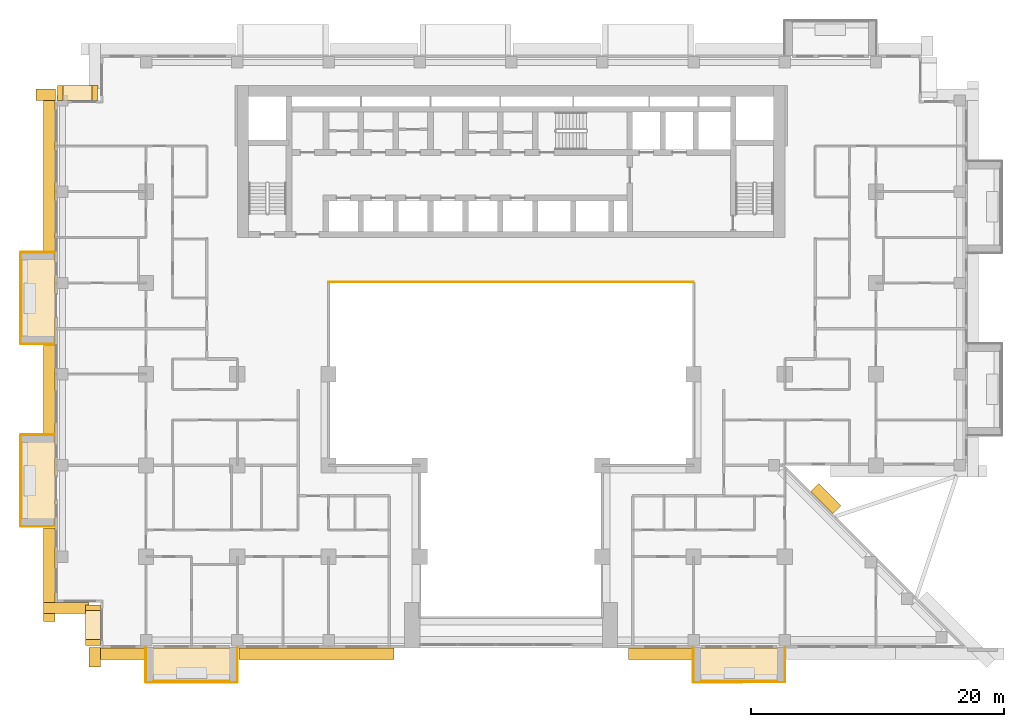
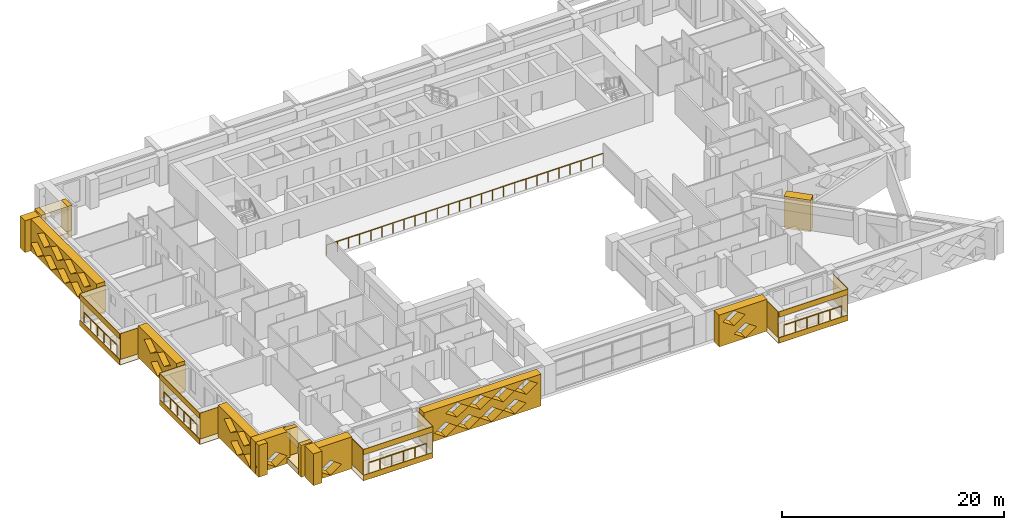
# One storey, part 14 of 17: 38 coverings, 5 railings.
"""IFC4 building model written with IfcOpenShell, lengths in metres."""

from ifc_helpers import new_model, si_unit, direction, frame, origin, origin_2d, place, context, subcontext, project, spatial, polyline, circle, outline, extrude, material, layer, layer_set, type_object, element, save


model = new_model("IFC4")

# Units and contexts
model_context = context("Model", 3, precision=1e-05, world=origin(), true_north=direction((0.0, 1.0)))
body_context = subcontext(model_context, "Body", "Model", "MODEL_VIEW")
ifc_project = project(units=[si_unit("LENGTHUNIT", "METRE"), si_unit("AREAUNIT", "SQUARE_METRE"), si_unit("VOLUMEUNIT", "CUBIC_METRE"), si_unit("PLANEANGLEUNIT", "RADIAN"), si_unit("MASSUNIT", "GRAM", prefix="KILO")], contexts=[model_context])

# Site, building, storey
site_placement = place(None, origin())
site = spatial("IfcSite", under=ifc_project, at=site_placement, CompositionType="ELEMENT")
building_placement = place(site_placement, origin())
building = spatial("IfcBuilding", under=site, at=building_placement, Name="Saffron Iwan Residences", CompositionType="ELEMENT")
storey_placement = place(building_placement, frame((0.0, 0.0, 93.5)))
storey = spatial("IfcBuildingStorey", under=building, at=storey_placement, Name="L24", CompositionType="ELEMENT", Elevation=93.5)

# Railings
ifc_material_1 = material(Name="Stainless steel 316", Category="steel")
railing_type_1 = type_object("IfcRailingType", Name="Atrium guard 1150", PredefinedType="GUARDRAIL", material=ifc_material_1)
railing_placement = place(storey_placement, frame((36.0, 62.47509765625, 0.0)))
element("IfcRailing", 1, at=railing_placement, inside=storey, type_object=railing_type_1, Name="Atrium guard L24", PredefinedType="GUARDRAIL", context=body_context, shape_type="SweptSolid", body=[
    extrude(circle(Radius=0.02392578125, at=origin_2d()), frame((0.0, 0.0, 1.1259765625), z_axis=(1.0, 0.0, 0.0), x_axis=(0.0, 1.0, 0.0)), (0.0, 0.0, 1.0), 28.800048828125),
    extrude(circle(Radius=0.02099609375, at=origin_2d()), origin(), (0.0, 0.0, 1.0), 1.101806640625),
    extrude(circle(Radius=0.02099609375, at=origin_2d()), frame((1.152099609375, 0.0, 0.0)), (0.0, 0.0, 1.0), 1.101806640625),
    extrude(circle(Radius=0.02099609375, at=origin_2d()), frame((2.303955078125, 0.0, 0.0)), (0.0, 0.0, 1.0), 1.101806640625),
    extrude(circle(Radius=0.02099609375, at=origin_2d()), frame((3.4560546875, 0.0, 0.0)), (0.0, 0.0, 1.0), 1.101806640625),
    extrude(circle(Radius=0.02099609375, at=origin_2d()), frame((4.60791015625, 0.0, 0.0)), (0.0, 0.0, 1.0), 1.101806640625),
    extrude(circle(Radius=0.02099609375, at=origin_2d()), frame((5.760009765625, 0.0, 0.0)), (0.0, 0.0, 1.0), 1.101806640625),
    extrude(circle(Radius=0.02099609375, at=origin_2d()), frame((6.912109375, 0.0, 0.0)), (0.0, 0.0, 1.0), 1.101806640625),
    extrude(circle(Radius=0.02099609375, at=origin_2d()), frame((8.06396484375, 0.0, 0.0)), (0.0, 0.0, 1.0), 1.101806640625),
    extrude(circle(Radius=0.02099609375, at=origin_2d()), frame((9.216064453125, 0.0, 0.0)), (0.0, 0.0, 1.0), 1.101806640625),
    extrude(circle(Radius=0.02099609375, at=origin_2d()), frame((10.367919921875, 0.0, 0.0)), (0.0, 0.0, 1.0), 1.101806640625),
    extrude(circle(Radius=0.02099609375, at=origin_2d()), frame((11.52001953125, 0.0, 0.0)), (0.0, 0.0, 1.0), 1.101806640625),
    extrude(circle(Radius=0.02099609375, at=origin_2d()), frame((12.672119140625, 0.0, 0.0)), (0.0, 0.0, 1.0), 1.101806640625),
    extrude(circle(Radius=0.02099609375, at=origin_2d()), frame((13.823974609375, 0.0, 0.0)), (0.0, 0.0, 1.0), 1.101806640625),
    extrude(circle(Radius=0.02099609375, at=origin_2d()), frame((14.97607421875, 0.0, 0.0)), (0.0, 0.0, 1.0), 1.101806640625),
    extrude(circle(Radius=0.02099609375, at=origin_2d()), frame((16.1279296875, 0.0, 0.0)), (0.0, 0.0, 1.0), 1.101806640625),
    extrude(circle(Radius=0.02099609375, at=origin_2d()), frame((17.280029296875, 0.0, 0.0)), (0.0, 0.0, 1.0), 1.101806640625),
    extrude(circle(Radius=0.02099609375, at=origin_2d()), frame((18.43212890625, 0.0, 0.0)), (0.0, 0.0, 1.0), 1.101806640625),
    extrude(circle(Radius=0.02099609375, at=origin_2d()), frame((19.583984375, 0.0, 0.0)), (0.0, 0.0, 1.0), 1.101806640625),
    extrude(circle(Radius=0.02099609375, at=origin_2d()), frame((20.736083984375, 0.0, 0.0)), (0.0, 0.0, 1.0), 1.101806640625),
    extrude(circle(Radius=0.02099609375, at=origin_2d()), frame((21.887939453125, 0.0, 0.0)), (0.0, 0.0, 1.0), 1.101806640625),
    extrude(circle(Radius=0.02099609375, at=origin_2d()), frame((23.0400390625, 0.0, 0.0)), (0.0, 0.0, 1.0), 1.101806640625),
    extrude(circle(Radius=0.02099609375, at=origin_2d()), frame((24.192138671875, 0.0, 0.0)), (0.0, 0.0, 1.0), 1.101806640625),
    extrude(circle(Radius=0.02099609375, at=origin_2d()), frame((25.343994140625, 0.0, 0.0)), (0.0, 0.0, 1.0), 1.101806640625),
    extrude(circle(Radius=0.02099609375, at=origin_2d()), frame((26.49609375, 0.0, 0.0)), (0.0, 0.0, 1.0), 1.101806640625),
    extrude(circle(Radius=0.02099609375, at=origin_2d()), frame((27.64794921875, 0.0, 0.0)), (0.0, 0.0, 1.0), 1.101806640625),
    extrude(circle(Radius=0.02099609375, at=origin_2d()), frame((28.800048828125, 0.0, 0.0)), (0.0, 0.0, 1.0), 1.101806640625),
])
railing_type_2 = type_object("IfcRailingType", Name="BALCONY GUARD 1150", PredefinedType="GUARDRAIL", material=ifc_material_1)
for number, where, name in (
    (2, (11.77490234375, 64.199951171875, 0.0), "Balcony guard L24 F8-0"),
    (3, (11.77490234375, 49.800048828125, 0.0), "Balcony guard L24 F8-1"),
):
    element("IfcRailing", number, at=place(storey_placement, frame(where)), inside=storey, type_object=railing_type_2, Name=name, PredefinedType="GUARDRAIL", context=body_context, shape_type="SweptSolid", body=[
        extrude(circle(Radius=0.02392578125, at=origin_2d()), frame((0.0, 0.0, 1.1259765625), z_axis=(0.0, -1.0, 0.0), x_axis=(1.0, 0.0, 0.0)), (0.0, 0.0, 1.0), 6.0),
        extrude(circle(Radius=0.02099609375, at=origin_2d()), origin(), (0.0, 0.0, 1.0), 1.101806640625),
        extrude(circle(Radius=0.02099609375, at=origin_2d()), frame((0.0, -1.199951171875, 0.0)), (0.0, 0.0, 1.0), 1.101806640625),
        extrude(circle(Radius=0.02099609375, at=origin_2d()), frame((0.0, -2.39990234375, 0.0)), (0.0, 0.0, 1.0), 1.101806640625),
        extrude(circle(Radius=0.02099609375, at=origin_2d()), frame((0.0, -3.60009765625, 0.0)), (0.0, 0.0, 1.0), 1.101806640625),
        extrude(circle(Radius=0.02099609375, at=origin_2d()), frame((0.0, -4.800048828125, 0.0)), (0.0, 0.0, 1.0), 1.101806640625),
        extrude(circle(Radius=0.02099609375, at=origin_2d()), frame((0.0, -6.0, 0.0)), (0.0, 0.0, 1.0), 1.101806640625),
    ])
for number, where, name in (
    (4, (22.199951171875, 30.97509765625, 0.0), "Balcony guard L24 11-0"),
    (5, (65.39990234375, 30.97509765625, 0.0), "Balcony guard L24 11-1"),
):
    element("IfcRailing", number, at=place(storey_placement, frame(where)), inside=storey, type_object=railing_type_2, Name=name, PredefinedType="GUARDRAIL", context=body_context, shape_type="SweptSolid", body=[
        extrude(circle(Radius=0.02392578125, at=origin_2d()), frame((0.0, 0.0, 1.1259765625), z_axis=(1.0, 0.0, 0.0), x_axis=(0.0, 1.0, 0.0)), (0.0, 0.0, 1.0), 6.0),
        extrude(circle(Radius=0.02099609375, at=origin_2d()), origin(), (0.0, 0.0, 1.0), 1.101806640625),
        extrude(circle(Radius=0.02099609375, at=origin_2d()), frame((1.199951171875, 0.0, 0.0)), (0.0, 0.0, 1.0), 1.101806640625),
        extrude(circle(Radius=0.02099609375, at=origin_2d()), frame((2.39990234375, 0.0, 0.0)), (0.0, 0.0, 1.0), 1.101806640625),
        extrude(circle(Radius=0.02099609375, at=origin_2d()), frame((3.60009765625, 0.0, 0.0)), (0.0, 0.0, 1.0), 1.101806640625),
        extrude(circle(Radius=0.02099609375, at=origin_2d()), frame((4.800048828125, 0.0, 0.0)), (0.0, 0.0, 1.0), 1.101806640625),
        extrude(circle(Radius=0.02099609375, at=origin_2d()), frame((6.0, 0.0, 0.0)), (0.0, 0.0, 1.0), 1.101806640625),
    ])

# Coverings
ifc_material_2 = material(Name="Precast concrete C40/50 white painted", Category="concrete")
ifc_layer = layer(ifc_material_2, 0.050048828125)
ifc_layer_set = layer_set([ifc_layer], Name="Precast concrete C40/50 white painted")
covering_type_1 = type_object("IfcCoveringType", Name="FRAME SKIN PRECAST WHITE 50", PredefinedType="CLADDING", material=ifc_layer_set)
for number, where, name in (
    (6, (0.0, 0.0, -0.60009765625), "Frame skin slab edge L24 F8-0"),
    (7, (0.0, 0.0, 2.25), "Frame skin fascia L24 F8-0"),
):
    element("IfcCovering", number, at=place(storey_placement, frame(where)), inside=storey, type_object=covering_type_1, Name=name, PredefinedType="CLADDING", context=body_context, shape_type="SweptSolid", body=[
        extrude(outline(polyline([(11.64990234375, 64.800048828125), (11.64990234375, 57.60009765625), (11.699951171875, 57.60009765625), (11.699951171875, 64.800048828125), (11.64990234375, 64.800048828125)])), origin(), (0.0, 0.0, 1.0), 0.60009765625),
    ])
covering_1_placement = place(storey_placement, frame((0.0, 0.0, -0.64990234375)))
element("IfcCovering", 8, at=covering_1_placement, inside=storey, type_object=covering_type_1, Name="Frame skin soffit L24 F8-0", PredefinedType="CLADDING", context=body_context, shape_type="SweptSolid", body=[
    extrude(outline(polyline([(11.699951171875, 64.800048828125), (11.699951171875, 57.60009765625), (14.39990234375, 57.60009765625), (14.39990234375, 64.800048828125), (11.699951171875, 64.800048828125)])), origin(), (0.0, 0.0, 1.0), 0.0498046875),
])
covering_2_placement = place(storey_placement, origin())
element("IfcCovering", 9, at=covering_2_placement, inside=storey, type_object=covering_type_1, Name="Frame skin fin L24 F8-0a", PredefinedType="CLADDING", context=body_context, shape_type="SweptSolid", body=[
    extrude(outline(polyline([(11.699951171875, 64.85009765625), (11.699951171875, 64.800048828125), (14.39990234375, 64.800048828125), (14.39990234375, 64.85009765625), (11.699951171875, 64.85009765625)])), origin(), (0.0, 0.0, 1.0), 2.85009765625),
])
covering_3_placement = place(storey_placement, origin())
element("IfcCovering", 10, at=covering_3_placement, inside=storey, type_object=covering_type_1, Name="Frame skin fin L24 F8-0b", PredefinedType="CLADDING", context=body_context, shape_type="SweptSolid", body=[
    extrude(outline(polyline([(11.699951171875, 57.60009765625), (11.699951171875, 57.550048828125), (14.39990234375, 57.550048828125), (14.39990234375, 57.60009765625), (11.699951171875, 57.60009765625)])), origin(), (0.0, 0.0, 1.0), 2.85009765625),
])
for number, where, name in (
    (11, (0.0, 0.0, -0.60009765625), "Frame skin slab edge L24 F8-1"),
    (12, (0.0, 0.0, 2.25), "Frame skin fascia L24 F8-1"),
):
    element("IfcCovering", number, at=place(storey_placement, frame(where)), inside=storey, type_object=covering_type_1, Name=name, PredefinedType="CLADDING", context=body_context, shape_type="SweptSolid", body=[
        extrude(outline(polyline([(11.64990234375, 50.39990234375), (11.64990234375, 43.199951171875), (11.699951171875, 43.199951171875), (11.699951171875, 50.39990234375), (11.64990234375, 50.39990234375)])), origin(), (0.0, 0.0, 1.0), 0.60009765625),
    ])
covering_4_placement = place(storey_placement, frame((0.0, 0.0, -0.64990234375)))
element("IfcCovering", 13, at=covering_4_placement, inside=storey, type_object=covering_type_1, Name="Frame skin soffit L24 F8-1", PredefinedType="CLADDING", context=body_context, shape_type="SweptSolid", body=[
    extrude(outline(polyline([(11.699951171875, 50.39990234375), (11.699951171875, 43.199951171875), (14.39990234375, 43.199951171875), (14.39990234375, 50.39990234375), (11.699951171875, 50.39990234375)])), origin(), (0.0, 0.0, 1.0), 0.0498046875),
])
covering_5_placement = place(storey_placement, origin())
element("IfcCovering", 14, at=covering_5_placement, inside=storey, type_object=covering_type_1, Name="Frame skin fin L24 F8-1a", PredefinedType="CLADDING", context=body_context, shape_type="SweptSolid", body=[
    extrude(outline(polyline([(11.699951171875, 50.449951171875), (11.699951171875, 50.39990234375), (14.39990234375, 50.39990234375), (14.39990234375, 50.449951171875), (11.699951171875, 50.449951171875)])), origin(), (0.0, 0.0, 1.0), 2.85009765625),
])
covering_6_placement = place(storey_placement, origin())
element("IfcCovering", 15, at=covering_6_placement, inside=storey, type_object=covering_type_1, Name="Frame skin fin L24 F8-1b", PredefinedType="CLADDING", context=body_context, shape_type="SweptSolid", body=[
    extrude(outline(polyline([(11.699951171875, 43.199951171875), (11.699951171875, 43.14990234375), (14.39990234375, 43.14990234375), (14.39990234375, 43.199951171875), (11.699951171875, 43.199951171875)])), origin(), (0.0, 0.0, 1.0), 2.85009765625),
])
for number, where, name in (
    (16, (0.0, 0.0, -0.60009765625), "Frame skin slab edge L24 11-0"),
    (17, (0.0, 0.0, 2.25), "Frame skin fascia L24 11-0"),
):
    element("IfcCovering", number, at=place(storey_placement, frame(where)), inside=storey, type_object=covering_type_1, Name=name, PredefinedType="CLADDING", context=body_context, shape_type="SweptSolid", body=[
        extrude(outline(polyline([(21.60009765625, 30.85009765625), (28.800048828125, 30.85009765625), (28.800048828125, 30.89990234375), (21.60009765625, 30.89990234375), (21.60009765625, 30.85009765625)])), origin(), (0.0, 0.0, 1.0), 0.60009765625),
    ])
covering_7_placement = place(storey_placement, frame((0.0, 0.0, -0.64990234375)))
element("IfcCovering", 18, at=covering_7_placement, inside=storey, type_object=covering_type_1, Name="Frame skin soffit L24 11-0", PredefinedType="CLADDING", context=body_context, shape_type="SweptSolid", body=[
    extrude(outline(polyline([(21.60009765625, 30.89990234375), (28.800048828125, 30.89990234375), (28.800048828125, 33.60009765625), (21.60009765625, 33.60009765625), (21.60009765625, 30.89990234375)])), origin(), (0.0, 0.0, 1.0), 0.0498046875),
])
covering_8_placement = place(storey_placement, origin())
element("IfcCovering", 19, at=covering_8_placement, inside=storey, type_object=covering_type_1, Name="Frame skin fin L24 11-0a", PredefinedType="CLADDING", context=body_context, shape_type="SweptSolid", body=[
    extrude(outline(polyline([(21.550048828125, 30.89990234375), (21.60009765625, 30.89990234375), (21.60009765625, 33.60009765625), (21.550048828125, 33.60009765625), (21.550048828125, 30.89990234375)])), origin(), (0.0, 0.0, 1.0), 2.85009765625),
])
covering_9_placement = place(storey_placement, origin())
element("IfcCovering", 20, at=covering_9_placement, inside=storey, type_object=covering_type_1, Name="Frame skin fin L24 11-0b", PredefinedType="CLADDING", context=body_context, shape_type="SweptSolid", body=[
    extrude(outline(polyline([(28.800048828125, 30.89990234375), (28.85009765625, 30.89990234375), (28.85009765625, 33.60009765625), (28.800048828125, 33.60009765625), (28.800048828125, 30.89990234375)])), origin(), (0.0, 0.0, 1.0), 2.85009765625),
])
for number, where, name in (
    (21, (0.0, 0.0, -0.60009765625), "Frame skin slab edge L24 11-1"),
    (22, (0.0, 0.0, 2.25), "Frame skin fascia L24 11-1"),
):
    element("IfcCovering", number, at=place(storey_placement, frame(where)), inside=storey, type_object=covering_type_1, Name=name, PredefinedType="CLADDING", context=body_context, shape_type="SweptSolid", body=[
        extrude(outline(polyline([(64.800048828125, 30.85009765625), (72.0, 30.85009765625), (72.0, 30.89990234375), (64.800048828125, 30.89990234375), (64.800048828125, 30.85009765625)])), origin(), (0.0, 0.0, 1.0), 0.60009765625),
    ])
covering_10_placement = place(storey_placement, frame((0.0, 0.0, -0.64990234375)))
element("IfcCovering", 23, at=covering_10_placement, inside=storey, type_object=covering_type_1, Name="Frame skin soffit L24 11-1", PredefinedType="CLADDING", context=body_context, shape_type="SweptSolid", body=[
    extrude(outline(polyline([(64.800048828125, 30.89990234375), (72.0, 30.89990234375), (72.0, 33.60009765625), (64.800048828125, 33.60009765625), (64.800048828125, 30.89990234375)])), origin(), (0.0, 0.0, 1.0), 0.0498046875),
])
covering_11_placement = place(storey_placement, origin())
element("IfcCovering", 24, at=covering_11_placement, inside=storey, type_object=covering_type_1, Name="Frame skin fin L24 11-1a", PredefinedType="CLADDING", context=body_context, shape_type="SweptSolid", body=[
    extrude(outline(polyline([(64.75, 30.89990234375), (64.800048828125, 30.89990234375), (64.800048828125, 33.60009765625), (64.75, 33.60009765625), (64.75, 30.89990234375)])), origin(), (0.0, 0.0, 1.0), 2.85009765625),
])
covering_12_placement = place(storey_placement, origin())
element("IfcCovering", 25, at=covering_12_placement, inside=storey, type_object=covering_type_1, Name="Frame skin fin L24 11-1b", PredefinedType="CLADDING", context=body_context, shape_type="SweptSolid", body=[
    extrude(outline(polyline([(72.0, 30.89990234375), (72.050048828125, 30.89990234375), (72.050048828125, 33.60009765625), (72.0, 33.60009765625), (72.0, 30.89990234375)])), origin(), (0.0, 0.0, 1.0), 2.85009765625),
])
ifc_material_3 = material(Name="Precast concrete C40/50", Category="concrete")
covering_type_2 = type_object("IfcCoveringType", Name="OUTER SKIN LATTICE SCREEN", PredefinedType="CLADDING", material=ifc_material_3)
covering_13_placement = place(storey_placement, frame((75.805908203125, 44.194091796875, -0.320068359375), z_axis=(0.707106781187, 0.707106781187, 0.0), x_axis=(-0.707106781187, 0.707106781187, 0.0)))
element("IfcCovering", 26, at=covering_13_placement, inside=storey, type_object=covering_type_2, Name="OUTER SKIN lattice screen L24 F0.1", PredefinedType="CLADDING", context=body_context, shape_type="SweptSolid", body=[
    extrude(outline(polyline([(0.0, 0.0), (2.4853515625, 0.0), (2.4853515625, 3.5), (0.0, 3.5), (0.0, 0.0)])), origin(), (0.0, 0.0, 1.0), 0.900146484375),
])
covering_14_placement = place(storey_placement, frame((14.449951171875, 76.800048828125, -0.320068359375), z_axis=(0.0, 1.0, 0.0), x_axis=(-1.0, 0.0, 0.0)))
element("IfcCovering", 27, at=covering_14_placement, inside=storey, type_object=covering_type_2, Name="OUTER SKIN lattice screen L24 F7.0", PredefinedType="CLADDING", context=body_context, shape_type="SweptSolid", body=[
    extrude(outline(polyline([(0.0, 0.0), (1.550048828125, 0.0), (1.550048828125, 3.5), (0.0, 3.5), (0.0, 0.0)])), origin(), (0.0, 0.0, 1.0), 0.89990234375),
])
covering_15_placement = place(storey_placement, frame((14.39990234375, 77.699951171875, -0.320068359375), z_axis=(-1.0, 0.0, 0.0), x_axis=(0.0, -1.0, 0.0)))
element("IfcCovering", 28, at=covering_15_placement, inside=storey, type_object=covering_type_2, Name="OUTER SKIN lattice screen L24 F8.0", PredefinedType="CLADDING", context=body_context, shape_type="SweptSolid", body=[
    extrude(outline(polyline([(0.0, 0.0), (12.75, 0.0), (12.75, 3.5), (0.0, 3.5), (0.0, 0.0)]), holes=[polyline([(0.919921875, 0.875), (2.10009765625, 0.06005859375), (3.280029296875, 0.875), (2.10009765625, 1.68994140625), (0.919921875, 0.875)]), polyline([(3.320068359375, 0.875), (4.5, 0.06005859375), (5.679931640625, 0.875), (4.5, 1.68994140625), (3.320068359375, 0.875)]), polyline([(5.719970703125, 0.875), (6.89990234375, 0.06005859375), (8.080078125, 0.875), (6.89990234375, 1.68994140625), (5.719970703125, 0.875)]), polyline([(8.1201171875, 0.875), (9.300048828125, 0.06005859375), (10.47998046875, 0.875), (9.300048828125, 1.68994140625), (8.1201171875, 0.875)]), polyline([(2.1201171875, 2.625), (3.300048828125, 1.81005859375), (4.47998046875, 2.625), (3.300048828125, 3.43994140625), (2.1201171875, 2.625)]), polyline([(4.52001953125, 2.625), (5.699951171875, 1.81005859375), (6.8798828125, 2.625), (5.699951171875, 3.43994140625), (4.52001953125, 2.625)]), polyline([(6.919921875, 2.625), (8.10009765625, 1.81005859375), (9.280029296875, 2.625), (8.10009765625, 3.43994140625), (6.919921875, 2.625)]), polyline([(9.320068359375, 2.625), (10.5, 1.81005859375), (11.679931640625, 2.625), (10.5, 3.43994140625), (9.320068359375, 2.625)])]), origin(), (0.0, 0.0, 1.0), 0.89990234375),
])
covering_16_placement = place(storey_placement, frame((14.39990234375, 57.449951171875, -0.320068359375), z_axis=(-1.0, 0.0, 0.0), x_axis=(0.0, -1.0, 0.0)))
element("IfcCovering", 29, at=covering_16_placement, inside=storey, type_object=covering_type_2, Name="OUTER SKIN lattice screen L24 F8.1", PredefinedType="CLADDING", context=body_context, shape_type="SweptSolid", body=[
    extrude(outline(polyline([(0.0, 0.0), (6.89990234375, 0.0), (6.89990234375, 3.5), (0.0, 3.5), (0.0, 0.0)]), holes=[polyline([(2.27001953125, 0.875), (3.449951171875, 0.06005859375), (4.6298828125, 0.875), (3.449951171875, 1.68994140625), (2.27001953125, 0.875)]), polyline([(1.070068359375, 2.625), (2.25, 1.81005859375), (3.429931640625, 2.625), (2.25, 3.43994140625), (1.070068359375, 2.625)]), polyline([(3.469970703125, 2.625), (4.64990234375, 1.81005859375), (5.830078125, 2.625), (4.64990234375, 3.43994140625), (3.469970703125, 2.625)])]), origin(), (0.0, 0.0, 1.0), 0.89990234375),
])
covering_17_placement = place(storey_placement, frame((14.39990234375, 43.050048828125, -0.320068359375), z_axis=(-1.0, 0.0, 0.0), x_axis=(0.0, -1.0, 0.0)))
element("IfcCovering", 30, at=covering_17_placement, inside=storey, type_object=covering_type_2, Name="OUTER SKIN lattice screen L24 F8.2", PredefinedType="CLADDING", context=body_context, shape_type="SweptSolid", body=[
    extrude(outline(polyline([(0.0, 0.0), (7.35009765625, 0.0), (7.35009765625, 3.5), (0.0, 3.5), (0.0, 0.0)]), holes=[polyline([(2.27001953125, 0.875), (3.449951171875, 0.06005859375), (4.6298828125, 0.875), (3.449951171875, 1.68994140625), (2.27001953125, 0.875)]), polyline([(4.669921875, 0.875), (5.85009765625, 0.06005859375), (7.030029296875, 0.875), (5.85009765625, 1.68994140625), (4.669921875, 0.875)]), polyline([(1.070068359375, 2.625), (2.25, 1.81005859375), (3.429931640625, 2.625), (2.25, 3.43994140625), (1.070068359375, 2.625)]), polyline([(3.469970703125, 2.625), (4.64990234375, 1.81005859375), (5.830078125, 2.625), (4.64990234375, 3.43994140625), (3.469970703125, 2.625)])]), origin(), (0.0, 0.0, 1.0), 0.89990234375),
])
covering_18_placement = place(storey_placement, frame((13.5, 37.199951171875, -0.320068359375), z_axis=(0.0, -1.0, 0.0), x_axis=(1.0, 0.0, 0.0)))
element("IfcCovering", 31, at=covering_18_placement, inside=storey, type_object=covering_type_2, Name="OUTER SKIN lattice screen L24 F9.0", PredefinedType="CLADDING", context=body_context, shape_type="SweptSolid", body=[
    extrude(outline(polyline([(0.0, 0.0), (3.60009765625, 0.0), (3.60009765625, 3.5), (0.0, 3.5), (0.0, 0.0)]), holes=[polyline([(0.919921875, 0.875), (2.10009765625, 0.06005859375), (3.280029296875, 0.875), (2.10009765625, 1.68994140625), (0.919921875, 0.875)])]), origin(), (0.0, 0.0, 1.0), 0.89990234375),
])
covering_19_placement = place(storey_placement, frame((18.0, 33.64990234375, -0.320068359375), z_axis=(-1.0, 0.0, 0.0), x_axis=(0.0, -1.0, 0.0)))
element("IfcCovering", 32, at=covering_19_placement, inside=storey, type_object=covering_type_2, Name="OUTER SKIN lattice screen L24 F10.0", PredefinedType="CLADDING", context=body_context, shape_type="SweptSolid", body=[
    extrude(outline(polyline([(0.0, 0.0), (1.550048828125, 0.0), (1.550048828125, 3.5), (0.0, 3.5), (0.0, 0.0)])), origin(), (0.0, 0.0, 1.0), 0.89990234375),
])
covering_20_placement = place(storey_placement, frame((17.10009765625, 33.60009765625, -0.320068359375), z_axis=(0.0, -1.0, 0.0), x_axis=(1.0, 0.0, 0.0)))
element("IfcCovering", 33, at=covering_20_placement, inside=storey, type_object=covering_type_2, Name="OUTER SKIN lattice screen L24 F11.0", PredefinedType="CLADDING", context=body_context, shape_type="SweptSolid", body=[
    extrude(outline(polyline([(0.0, 0.0), (4.35009765625, 0.0), (4.35009765625, 3.5), (0.0, 3.5), (0.0, 0.0)]), holes=[polyline([(0.919921875, 0.875), (2.10009765625, 0.06005859375), (3.280029296875, 0.875), (2.10009765625, 1.68994140625), (0.919921875, 0.875)])]), origin(), (0.0, 0.0, 1.0), 0.900146484375),
])
covering_21_placement = place(storey_placement, frame((28.949951171875, 33.60009765625, -0.320068359375), z_axis=(0.0, -1.0, 0.0), x_axis=(1.0, 0.0, 0.0)))
element("IfcCovering", 34, at=covering_21_placement, inside=storey, type_object=covering_type_2, Name="OUTER SKIN lattice screen L24 F11.1", PredefinedType="CLADDING", context=body_context, shape_type="SweptSolid", body=[
    extrude(outline(polyline([(0.0, 0.0), (12.199951171875, 0.0), (12.199951171875, 3.5), (0.0, 3.5), (0.0, 0.0)]), holes=[polyline([(1.070068359375, 0.875), (2.25, 0.06005859375), (3.429931640625, 0.875), (2.25, 1.68994140625), (1.070068359375, 0.875)]), polyline([(3.469970703125, 0.875), (4.64990234375, 0.06005859375), (5.830078125, 0.875), (4.64990234375, 1.68994140625), (3.469970703125, 0.875)]), polyline([(5.8701171875, 0.875), (7.050048828125, 0.06005859375), (8.22998046875, 0.875), (7.050048828125, 1.68994140625), (5.8701171875, 0.875)]), polyline([(8.27001953125, 0.875), (9.449951171875, 0.06005859375), (10.6298828125, 0.875), (9.449951171875, 1.68994140625), (8.27001953125, 0.875)]), polyline([(2.27001953125, 2.625), (3.449951171875, 1.81005859375), (4.6298828125, 2.625), (3.449951171875, 3.43994140625), (2.27001953125, 2.625)]), polyline([(4.669921875, 2.625), (5.85009765625, 1.81005859375), (7.030029296875, 2.625), (5.85009765625, 3.43994140625), (4.669921875, 2.625)]), polyline([(7.070068359375, 2.625), (8.25, 1.81005859375), (9.429931640625, 2.625), (8.25, 3.43994140625), (7.070068359375, 2.625)]), polyline([(9.469970703125, 2.625), (10.64990234375, 1.81005859375), (11.830078125, 2.625), (10.64990234375, 3.43994140625), (9.469970703125, 2.625)])]), origin(), (0.0, 0.0, 1.0), 0.900146484375),
])
covering_22_placement = place(storey_placement, frame((59.64990234375, 33.60009765625, -0.320068359375), z_axis=(0.0, -1.0, 0.0), x_axis=(1.0, 0.0, 0.0)))
element("IfcCovering", 35, at=covering_22_placement, inside=storey, type_object=covering_type_2, Name="OUTER SKIN lattice screen L24 F11.2", PredefinedType="CLADDING", context=body_context, shape_type="SweptSolid", body=[
    extrude(outline(polyline([(0.0, 0.0), (5.0, 0.0), (5.0, 3.5), (0.0, 3.5), (0.0, 0.0)]), holes=[polyline([(1.570068359375, 0.875), (2.75, 0.06005859375), (3.929931640625, 0.875), (2.75, 1.68994140625), (1.570068359375, 0.875)]), polyline([(0.3701171875, 2.625), (1.550048828125, 1.81005859375), (2.72998046875, 2.625), (1.550048828125, 3.43994140625), (0.3701171875, 2.625)])]), origin(), (0.0, 0.0, 1.0), 0.900146484375),
])
covering_type_3 = type_object("IfcCoveringType", Name="WHITE SUN FRAME PRECAST", PredefinedType="CLADDING", material=ifc_material_2)
for number, where, z_axis, x_axis, name in (
    (36, (17.800048828125, 76.800048828125, -0.320068359375), (0.0, 1.0, 0.0), (-1.0, 0.0, 0.0), "Sun frame L24 F7 0.2a"),
    (37, (15.050048828125, 76.800048828125, -0.320068359375), (0.0, 1.0, 0.0), (-1.0, 0.0, 0.0), "Sun frame L24 F7 0.2b"),
):
    element("IfcCovering", number, at=place(storey_placement, frame(where, z_axis=z_axis, x_axis=x_axis)), inside=storey, type_object=covering_type_3, Name=name, PredefinedType="CLADDING", context=body_context, shape_type="SweptSolid", body=[
        extrude(outline(polyline([(0.0, 0.0), (0.449951171875, 0.0), (0.449951171875, 3.5), (0.0, 3.5), (0.0, 0.0)])), origin(), (0.0, 0.0, 1.0), 1.199951171875),
    ])
for number, where, z_axis, x_axis, name in (
    (38, (17.35009765625, 76.800048828125, 2.580078125), (0.0, 1.0, 0.0), (-1.0, 0.0, 0.0), "Sun frame L24 F7 0.2h"),
    (39, (17.35009765625, 76.800048828125, -0.320068359375), (0.0, 1.0, 0.0), (-1.0, 0.0, 0.0), "Sun frame L24 F7 0.2s"),
):
    element("IfcCovering", number, at=place(storey_placement, frame(where, z_axis=z_axis, x_axis=x_axis)), inside=storey, type_object=covering_type_3, Name=name, PredefinedType="CLADDING", context=body_context, shape_type="SweptSolid", body=[
        extrude(outline(polyline([(0.0, 0.0), (2.300048828125, 0.0), (2.300048828125, 0.60009765625), (0.0, 0.60009765625), (0.0, 0.0)])), origin(), (0.0, 0.0, 1.0), 1.199951171875),
    ])
for number, where, z_axis, x_axis, name in (
    (40, (18.0, 37.0, -0.320068359375), (-1.0, 0.0, 0.0), (0.0, -1.0, 0.0), "Sun frame L24 F10 0.2a"),
    (41, (18.0, 34.25, -0.320068359375), (-1.0, 0.0, 0.0), (0.0, -1.0, 0.0), "Sun frame L24 F10 0.2b"),
):
    element("IfcCovering", number, at=place(storey_placement, frame(where, z_axis=z_axis, x_axis=x_axis)), inside=storey, type_object=covering_type_3, Name=name, PredefinedType="CLADDING", context=body_context, shape_type="SweptSolid", body=[
        extrude(outline(polyline([(0.0, 0.0), (0.449951171875, 0.0), (0.449951171875, 3.5), (0.0, 3.5), (0.0, 0.0)])), origin(), (0.0, 0.0, 1.0), 1.199951171875),
    ])
for number, where, z_axis, x_axis, name in (
    (42, (18.0, 36.550048828125, 2.580078125), (-1.0, 0.0, 0.0), (0.0, -1.0, 0.0), "Sun frame L24 F10 0.2h"),
    (43, (18.0, 36.550048828125, -0.320068359375), (-1.0, 0.0, 0.0), (0.0, -1.0, 0.0), "Sun frame L24 F10 0.2s"),
):
    element("IfcCovering", number, at=place(storey_placement, frame(where, z_axis=z_axis, x_axis=x_axis)), inside=storey, type_object=covering_type_3, Name=name, PredefinedType="CLADDING", context=body_context, shape_type="SweptSolid", body=[
        extrude(outline(polyline([(0.0, 0.0), (2.300048828125, 0.0), (2.300048828125, 0.60009765625), (0.0, 0.60009765625), (0.0, 0.0)])), origin(), (0.0, 0.0, 1.0), 1.199951171875),
    ])

save(model, "model.ifc")
